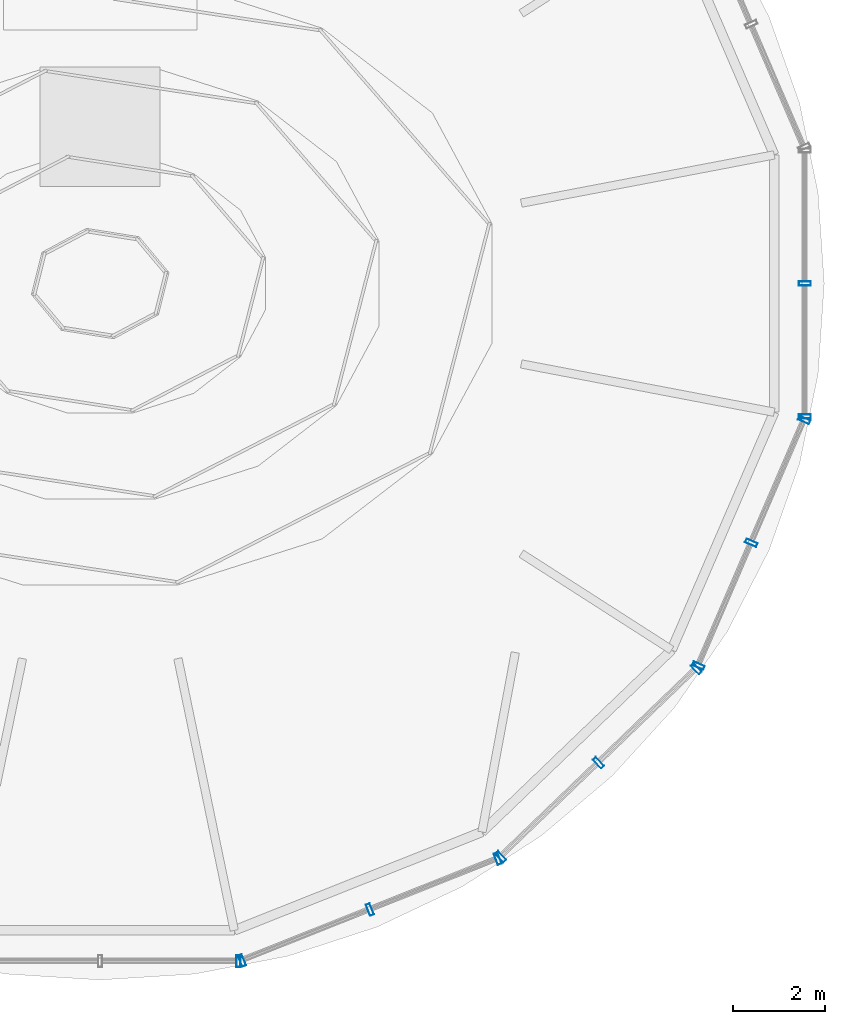
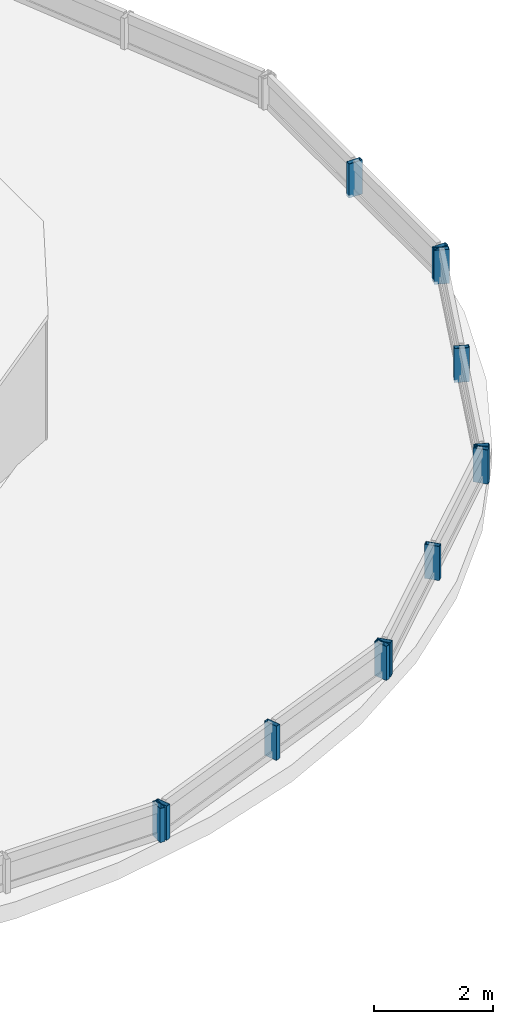
# One storey, part 4 of 8: 12 members, 5 elements without a shape of their own.
"""IFC4 building model written with IfcOpenShell, lengths in metres."""

from ifc_helpers import new_model, si_unit, direction, frame, origin, origin_2d, place, context, subcontext, project, spatial, hollow_rectangle, extrude, source, transform, mapped, material, material_profile, profile_set, type_object, element, aggregate, save


model = new_model("IFC4")

# Units and contexts
model_context = context("Model", 3, precision=1e-05, world=origin(), true_north=direction((-0.2419218956, 0.970295726276)))
body_context = subcontext(model_context, "Body", "Model", "MODEL_VIEW")
ifc_project = project(units=[si_unit("LENGTHUNIT", "METRE"), si_unit("AREAUNIT", "SQUARE_METRE"), si_unit("VOLUMEUNIT", "CUBIC_METRE"), si_unit("PLANEANGLEUNIT", "RADIAN"), si_unit("MASSUNIT", "GRAM", prefix="KILO")], contexts=[model_context])

# Site, building, storey
site_placement = place(None, origin())
site = spatial("IfcSite", under=ifc_project, at=site_placement, CompositionType="ELEMENT")
building_placement = place(site_placement, origin())
building = spatial("IfcBuilding", under=site, at=building_placement, Name="Cobrevalo Terracotta Tower", CompositionType="ELEMENT")
storey_placement = place(building_placement, frame((0.0, 0.0, 337.300048828125)))
storey = spatial("IfcBuildingStorey", under=building, at=storey_placement, Name="RF", CompositionType="ELEMENT", Elevation=337.300048828125)

# Curtain wall, member
ifc_material = material(Name="Anodized aluminium", Category="aluminium")
curtain_wall_type = type_object("IfcCurtainWallType", Name="Faceted glass-point crown structural glazing system CW-CR", PredefinedType="NOTDEFINED", material=ifc_material)
curtain_wall_1_placement = place(storey_placement, origin())
curtain_wall_1 = element("IfcCurtainWall", 1, at=curtain_wall_1_placement, inside=storey, type_object=curtain_wall_type, Name="RF curtain wall CW-CRN-RF-S12", PredefinedType="NOTDEFINED")
ifc_material_profile = material_profile(ifc_material, hollow_rectangle(XDim=0.090087890625, YDim=0.260009765625, WallThickness=0.006103515625, at=origin_2d()), Name="CWM 90x260")
ifc_profile_set = profile_set([ifc_material_profile], Name="Anodized aluminium")
member_type = type_object("IfcMemberType", Name="Crown structural glass mullion 90x260", PredefinedType="MULLION", material=ifc_profile_set)
shared_shape = source(origin(), body_context, "Body", "SweptSolid", [
    extrude(hollow_rectangle(XDim=0.090087890625, YDim=0.260009765625, WallThickness=0.006103515625, at=origin_2d()), origin(), (0.0, 0.0, 1.0), 0.699951171875),
])
member_1_placement = place(storey_placement, frame((40.99951171875, 12.10791015625, 0.0), z_axis=(0.0, 0.0, 1.0), x_axis=(1.0, 0.0, 0.0)))
member_1 = element("IfcMember", 2, at=member_1_placement, type_object=member_type, Name="CW-CRN-RF-S12 vertical mullion 03", PredefinedType="MULLION", context=body_context, shape_type="MappedRepresentation", body=[
    mapped(shared_shape, transform((0.0, 0.0, 0.0), scale=1.0)),
])
aggregate(curtain_wall_1, [member_1])

# Curtain wall, members
curtain_wall_2_placement = place(storey_placement, origin())
curtain_wall_2 = element("IfcCurtainWall", 3, at=curtain_wall_2_placement, inside=storey, type_object=curtain_wall_type, Name="RF curtain wall CW-CRN-RF-S13", PredefinedType="NOTDEFINED")
member_2_placement = place(storey_placement, frame((41.07666015625, 12.12255859375, 0.0), z_axis=(0.0, 0.0, 1.0), x_axis=(0.929029282535, 0.370006205615, 0.0)))
member_2 = element("IfcMember", 4, at=member_2_placement, type_object=member_type, Name="CW-CRN-RF-S13 vertical mullion 01", PredefinedType="MULLION", context=body_context, shape_type="MappedRepresentation", body=[
    mapped(shared_shape, transform((0.0, 0.0, 0.0), scale=1.0)),
])
member_3_placement = place(storey_placement, frame((43.84765625, 13.226318359375, 0.0), z_axis=(0.0, 0.0, 1.0), x_axis=(0.929029282535, 0.370006205615, 0.0)))
member_3 = element("IfcMember", 5, at=member_3_placement, type_object=member_type, Name="CW-CRN-RF-S13 vertical mullion 02", PredefinedType="MULLION", context=body_context, shape_type="MappedRepresentation", body=[
    mapped(shared_shape, transform((0.0, 0.0, 0.0), scale=1.0)),
])
member_4_placement = place(storey_placement, frame((46.61865234375, 14.329833984375, 0.0), z_axis=(0.0, 0.0, 1.0), x_axis=(0.929029282535, 0.370006205615, 0.0)))
member_4 = element("IfcMember", 6, at=member_4_placement, type_object=member_type, Name="CW-CRN-RF-S13 vertical mullion 03", PredefinedType="MULLION", context=body_context, shape_type="MappedRepresentation", body=[
    mapped(shared_shape, transform((0.0, 0.0, 0.0), scale=1.0)),
])
aggregate(curtain_wall_2, [member_2, member_3, member_4])

curtain_wall_3_placement = place(storey_placement, origin())
curtain_wall_3 = element("IfcCurtainWall", 7, at=curtain_wall_3_placement, inside=storey, type_object=curtain_wall_type, Name="RF curtain wall CW-CRN-RF-S14", PredefinedType="NOTDEFINED")
member_5_placement = place(storey_placement, frame((46.6845703125, 14.372314453125, 0.0), z_axis=(0.0, 0.0, 1.0), x_axis=(0.720853596703, 0.693087362546, 0.0)))
member_5 = element("IfcMember", 8, at=member_5_placement, type_object=member_type, Name="CW-CRN-RF-S14 vertical mullion 01", PredefinedType="MULLION", context=body_context, shape_type="MappedRepresentation", body=[
    mapped(shared_shape, transform((0.0, 0.0, 0.0), scale=1.0)),
])
member_6_placement = place(storey_placement, frame((48.804931640625, 16.4111328125, 0.0), z_axis=(0.0, 0.0, 1.0), x_axis=(0.720853596703, 0.693087362546, 0.0)))
member_6 = element("IfcMember", 9, at=member_6_placement, type_object=member_type, Name="CW-CRN-RF-S14 vertical mullion 02", PredefinedType="MULLION", context=body_context, shape_type="MappedRepresentation", body=[
    mapped(shared_shape, transform((0.0, 0.0, 0.0), scale=1.0)),
])
member_7_placement = place(storey_placement, frame((50.925537109375, 18.449951171875, 0.0), z_axis=(0.0, 0.0, 1.0), x_axis=(0.720853596703, 0.693087362546, 0.0)))
member_7 = element("IfcMember", 10, at=member_7_placement, type_object=member_type, Name="CW-CRN-RF-S14 vertical mullion 03", PredefinedType="MULLION", context=body_context, shape_type="MappedRepresentation", body=[
    mapped(shared_shape, transform((0.0, 0.0, 0.0), scale=1.0)),
])
aggregate(curtain_wall_3, [member_5, member_6, member_7])

curtain_wall_4_placement = place(storey_placement, origin())
curtain_wall_4 = element("IfcCurtainWall", 11, at=curtain_wall_4_placement, inside=storey, type_object=curtain_wall_type, Name="RF curtain wall CW-CRN-RF-S15", PredefinedType="NOTDEFINED")
member_8_placement = place(storey_placement, frame((50.97021484375, 18.514404296875, 0.0), z_axis=(0.0, 0.0, 1.0), x_axis=(0.395657709004, 0.918398049489, 0.0)))
member_8 = element("IfcMember", 12, at=member_8_placement, type_object=member_type, Name="CW-CRN-RF-S15 vertical mullion 01", PredefinedType="MULLION", context=body_context, shape_type="MappedRepresentation", body=[
    mapped(shared_shape, transform((0.0, 0.0, 0.0), scale=1.0)),
])
member_9_placement = place(storey_placement, frame((52.117431640625, 21.177490234375, 0.0), z_axis=(0.0, 0.0, 1.0), x_axis=(0.395657709004, 0.918398049489, 0.0)))
member_9 = element("IfcMember", 13, at=member_9_placement, type_object=member_type, Name="CW-CRN-RF-S15 vertical mullion 02", PredefinedType="MULLION", context=body_context, shape_type="MappedRepresentation", body=[
    mapped(shared_shape, transform((0.0, 0.0, 0.0), scale=1.0)),
])
member_10_placement = place(storey_placement, frame((53.264892578125, 23.8408203125, 0.0), z_axis=(0.0, 0.0, 1.0), x_axis=(0.395657709004, 0.918398049489, 0.0)))
member_10 = element("IfcMember", 14, at=member_10_placement, type_object=member_type, Name="CW-CRN-RF-S15 vertical mullion 03", PredefinedType="MULLION", context=body_context, shape_type="MappedRepresentation", body=[
    mapped(shared_shape, transform((0.0, 0.0, 0.0), scale=1.0)),
])
aggregate(curtain_wall_4, [member_8, member_9, member_10])

curtain_wall_5_placement = place(storey_placement, origin())
curtain_wall_5 = element("IfcCurtainWall", 15, at=curtain_wall_5_placement, inside=storey, type_object=curtain_wall_type, Name="RF curtain wall CW-CRN-RF-S16", PredefinedType="NOTDEFINED")
member_11_placement = place(storey_placement, frame((53.280517578125, 23.91748046875, 0.0), z_axis=(0.0, 0.0, 1.0), x_axis=(0.0, 1.0, 0.0)))
member_11 = element("IfcMember", 16, at=member_11_placement, type_object=member_type, Name="CW-CRN-RF-S16 vertical mullion 01", PredefinedType="MULLION", context=body_context, shape_type="MappedRepresentation", body=[
    mapped(shared_shape, transform((0.0, 0.0, 0.0), scale=1.0)),
])
member_12_placement = place(storey_placement, frame((53.280517578125, 26.800048828125, 0.0), z_axis=(0.0, 0.0, 1.0), x_axis=(0.0, 1.0, 0.0)))
member_12 = element("IfcMember", 17, at=member_12_placement, type_object=member_type, Name="CW-CRN-RF-S16 vertical mullion 02", PredefinedType="MULLION", context=body_context, shape_type="MappedRepresentation", body=[
    mapped(shared_shape, transform((0.0, 0.0, 0.0), scale=1.0)),
])
aggregate(curtain_wall_5, [member_11, member_12])

save(model, "model.ifc")
